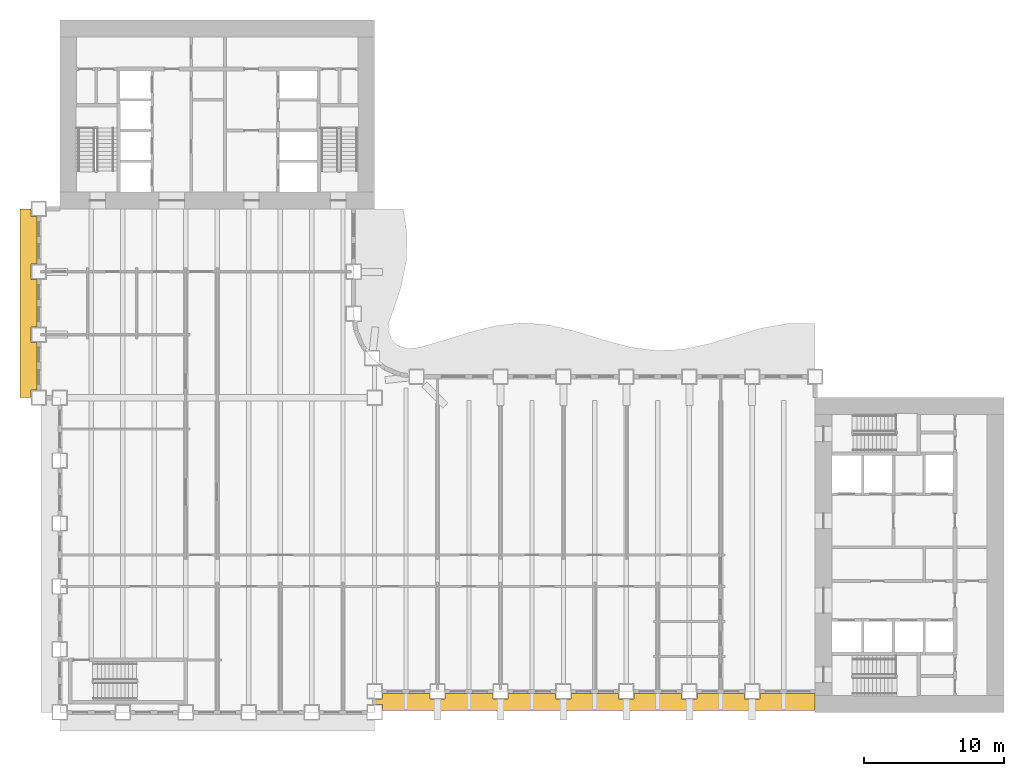
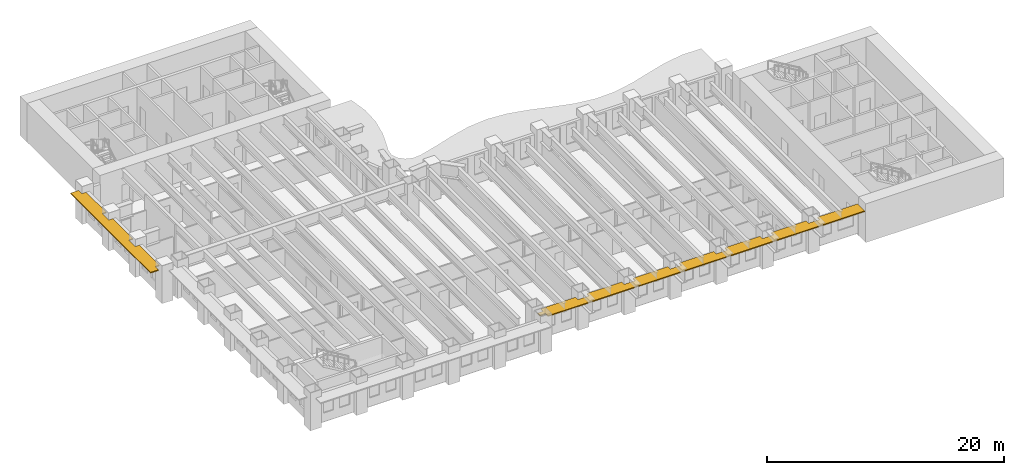
# One storey, part 12 of 16: 2 shading devices.
"""IFC4 building model written with IfcOpenShell, lengths in metres."""

from ifc_helpers import new_model, si_unit, direction, frame, origin, place, context, subcontext, project, spatial, polyline, outline, extrude, material, layer, layer_set, type_object, element, save


model = new_model("IFC4")

# Units and contexts
model_context = context("Model", 3, precision=1e-05, world=origin(), true_north=direction((0.0, 1.0)))
body_context = subcontext(model_context, "Body", "Model", "MODEL_VIEW")
ifc_project = project(units=[si_unit("LENGTHUNIT", "METRE"), si_unit("AREAUNIT", "SQUARE_METRE"), si_unit("VOLUMEUNIT", "CUBIC_METRE"), si_unit("PLANEANGLEUNIT", "RADIAN"), si_unit("MASSUNIT", "GRAM", prefix="KILO")], contexts=[model_context])

# Site, building, storey
site_placement = place(None, origin())
site = spatial("IfcSite", under=ifc_project, at=site_placement, CompositionType="ELEMENT")
building_placement = place(site_placement, origin())
building = spatial("IfcBuilding", under=site, at=building_placement, Name="Sennacour Bend Tower", CompositionType="ELEMENT")
storey_placement = place(building_placement, frame((0.0, 0.0, 73.0)))
storey = spatial("IfcBuildingStorey", under=building, at=storey_placement, Name="L16", CompositionType="ELEMENT", Elevation=73.0)

# Shading devices
ifc_material = material(Name="Bronze anodised aluminium", Category="aluminium")
ifc_layer = layer(ifc_material, 0.10009765625, Name="Bronze anodised aluminium", Category="aluminium")
ifc_layer_set = layer_set([ifc_layer], Name="Bronze anodised aluminium")
shading_device_type = type_object("IfcShadingDeviceType", Name="SUNSHADE BAND STRAIGHT", PredefinedType="USERDEFINED", material=ifc_layer_set)
shading_device_1_placement = place(storey_placement, frame((0.0, 0.0, 2.944091796875)))
element("IfcShadingDevice", 1, at=shading_device_1_placement, inside=storey, type_object=shading_device_type, Name="Sunshade band L16 A outer face", ObjectType="SUNSHADE", PredefinedType="USERDEFINED", context=body_context, shape_type="SweptSolid", body=[
    extrude(outline(polyline([(26.449951171875, 1.35009765625), (26.449951171875, 0.949951171875), (27.550048828125, 0.949951171875), (27.550048828125, 1.35009765625), (30.949951171875, 1.35009765625), (30.949951171875, 0.949951171875), (32.050048828125, 0.949951171875), (32.050048828125, 1.35009765625), (35.449951171875, 1.35009765625), (35.449951171875, 0.949951171875), (36.550048828125, 0.949951171875), (36.550048828125, 1.35009765625), (39.949951171875, 1.35009765625), (39.949951171875, 0.949951171875), (41.050048828125, 0.949951171875), (41.050048828125, 1.35009765625), (44.449951171875, 1.35009765625), (44.449951171875, 0.949951171875), (45.550048828125, 0.949951171875), (45.550048828125, 1.35009765625), (48.949951171875, 1.35009765625), (48.949951171875, 0.949951171875), (50.050048828125, 0.949951171875), (50.050048828125, 1.35009765625), (54.0, 1.35009765625), (54.0, 0.14990234375), (23.050048828125, 0.14990234375), (23.050048828125, 0.550048828125), (22.5, 0.550048828125), (22.5, 0.949951171875), (23.050048828125, 0.949951171875), (23.050048828125, 1.35009765625), (26.449951171875, 1.35009765625)])), origin(), (0.0, 0.0, 1.0), 0.099853515625),
])
shading_device_2_placement = place(storey_placement, frame((0.0, 0.0, 2.944091796875)))
element("IfcShadingDevice", 2, at=shading_device_2_placement, inside=storey, type_object=shading_device_type, Name="Sunshade band L16 B outer face", ObjectType="SUNSHADE", PredefinedType="USERDEFINED", context=body_context, shape_type="SweptSolid", body=[
    extrude(outline(polyline([(-1.64990234375, 32.050048828125), (-2.050048828125, 32.050048828125), (-2.050048828125, 30.949951171875), (-1.64990234375, 30.949951171875), (-1.64990234375, 27.550048828125), (-2.050048828125, 27.550048828125), (-2.050048828125, 26.449951171875), (-1.64990234375, 26.449951171875), (-1.64990234375, 23.050048828125), (-2.050048828125, 23.050048828125), (-2.050048828125, 22.5), (-2.85009765625, 22.5), (-2.85009765625, 36.0), (-2.050048828125, 36.0), (-2.050048828125, 35.449951171875), (-1.64990234375, 35.449951171875), (-1.64990234375, 32.050048828125)])), origin(), (0.0, 0.0, 1.0), 0.099853515625),
])

save(model, "model.ifc")
